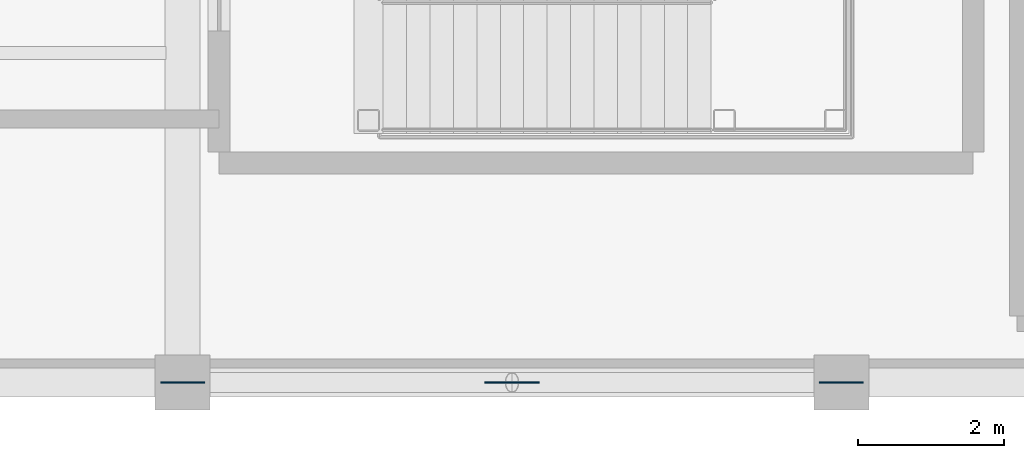
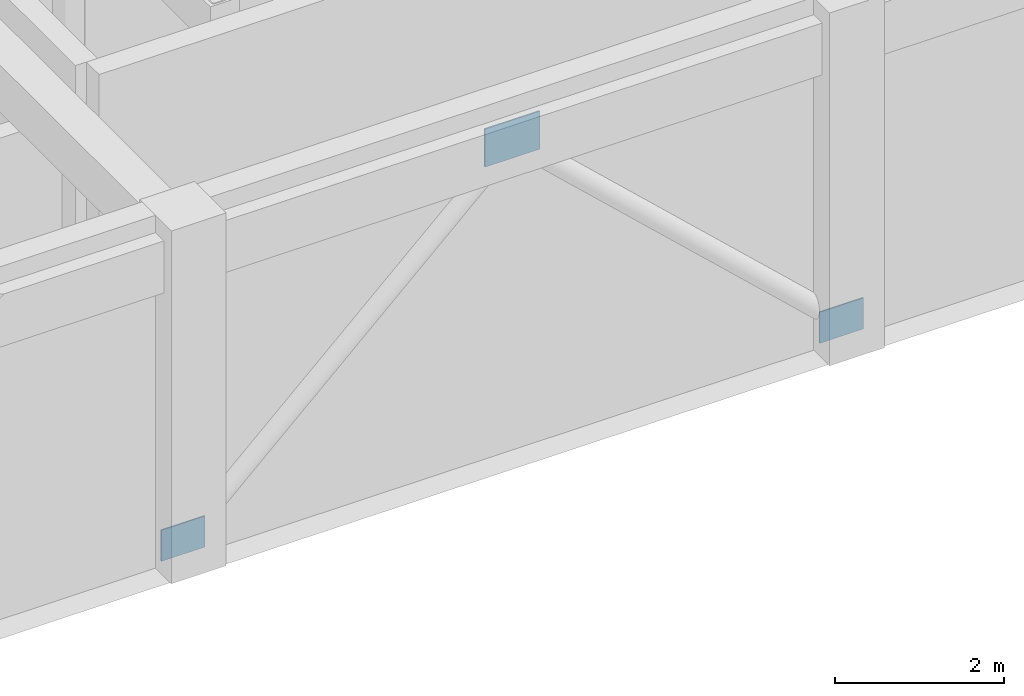
# One storey, part 94 of 128: 3 plates.
"""IFC4 building model written with IfcOpenShell, lengths in metres."""

import ifcopenshell
import ifcopenshell.guid

model = None  # the IFC model being written
_history = None  # IfcOwnerHistory: only IFC2X3 demands one
_inside = {}  # id of a spatial element -> (the spatial element, [elements in it])
_under = {}  # id of a project, library or spatial element -> (it, [spatial elements below it])
_declared = {}  # id of a project -> (the project, [libraries it declares])
_typed = {}  # id of a type object -> (the type object, [elements of that type])
_made_of = {}  # id of a material, layer set ... -> (it, [elements and type objects made of it])


def new_model(schema):
    """Start an empty IFC model of exactly this schema.

    Asked for "IFC4X3", IfcOpenShell would pick the latest addendum, in which some entities
    have other attributes; the version numbers below select the first issue.
    IFC2X3 requires an IfcOwnerHistory on every rooted entity: one is made here for all.
    """
    global model, _history
    if schema == "IFC4X3":
        model = ifcopenshell.file(schema_version=(4, 3, 0, 0))
    else:
        model = ifcopenshell.file(schema=schema)
    _inside.clear()
    _under.clear()
    _declared.clear()
    _typed.clear()
    _made_of.clear()
    _history = None
    if model.schema == "IFC2X3":
        org = make("IfcOrganization", Name="unknown")
        user = make(
            "IfcPersonAndOrganization",
            ThePerson=make("IfcPerson", FamilyName="unknown"),
            TheOrganization=org,
        )
        app = make(
            "IfcApplication",
            ApplicationDeveloper=org,
            Version="unknown",
            ApplicationFullName="unknown",
            ApplicationIdentifier="unknown",
        )
        _history = make(
            "IfcOwnerHistory",
            OwningUser=user,
            OwningApplication=app,
            ChangeAction="ADDED",
            CreationDate=0,
        )
    return model


def make(cls, **values):
    """One entity of the class cls with the attributes given. An attribute that is None is left unset."""
    return model.create_entity(
        cls, **{name: value for name, value in values.items() if value is not None}
    )


def rooted(cls, **values):
    """An entity with a GlobalId (a new one), such as an element, a storey or a relation."""
    return make(cls, GlobalId=ifcopenshell.guid.new(), OwnerHistory=_history, **values)


def si_unit(unit_type, name, prefix=None):
    """IfcSIUnit, for example si_unit("LENGTHUNIT", "METRE", prefix="MILLI")."""
    return make("IfcSIUnit", UnitType=unit_type, Prefix=prefix, Name=name)


def assignment(units):
    """IfcUnitAssignment: the units of a project."""
    return None if units is None else make("IfcUnitAssignment", Units=units)


def point(xyz):
    """IfcCartesianPoint."""
    return None if xyz is None else make("IfcCartesianPoint", Coordinates=xyz)


def direction(xyz):
    """IfcDirection."""
    return None if xyz is None else make("IfcDirection", DirectionRatios=xyz)


def frame(location, z_axis=None, x_axis=None):
    """IfcAxis2Placement3D, a coordinate frame: its origin and axes. An axis left out is left unset."""
    return make(
        "IfcAxis2Placement3D",
        Location=point(location),
        Axis=direction(z_axis),
        RefDirection=direction(x_axis),
    )


def frame_2d(location, x_axis=None):
    """IfcAxis2Placement2D, a coordinate frame in the plane: its origin and x axis."""
    return make(
        "IfcAxis2Placement2D", Location=point(location), RefDirection=direction(x_axis)
    )


def origin():
    """The frame at (0, 0, 0) with its axes left unset."""
    return frame((0.0, 0.0, 0.0))


def origin_2d():
    """The frame at (0, 0) in the plane with its x axis left unset."""
    return frame_2d((0.0, 0.0))


def place(relative_to, where):
    """IfcLocalPlacement: puts the frame where relative to a parent placement (None: the world)."""
    return make(
        "IfcLocalPlacement", PlacementRelTo=relative_to, RelativePlacement=where
    )


def context(
    kind, dimensions, precision=None, world=None, true_north=None, identifier=None
):
    """IfcGeometricRepresentationContext, for example the 3D "Model" context."""
    return make(
        "IfcGeometricRepresentationContext",
        ContextIdentifier=identifier,
        ContextType=kind,
        CoordinateSpaceDimension=dimensions,
        Precision=precision,
        WorldCoordinateSystem=world,
        TrueNorth=true_north,
    )


def subcontext(parent, identifier, kind, view, scale=None):
    """IfcGeometricRepresentationSubContext, for example "Body" below "Model"."""
    return make(
        "IfcGeometricRepresentationSubContext",
        ContextIdentifier=identifier,
        ContextType=kind,
        ParentContext=parent,
        TargetScale=scale,
        TargetView=view,
    )


def project(units=None, contexts=None):
    """IfcProject with its units and contexts."""
    return rooted(
        "IfcProject",
        Name="project",
        RepresentationContexts=contexts,
        UnitsInContext=assignment(units),
    )


def spatial(cls, under=None, at=None, **own):
    """A site, building, storey or space (cls), placed at a placement, below another one or the project."""
    s = rooted(cls, ObjectPlacement=at, **own)
    if under is not None:
        _under.setdefault(under.id(), (under, []))[1].append(s)
    return s


def profile(cls, at=None, kind="AREA", **sizes):
    """A parametric profile (cls). Its sizes go by their IFC names, for example OverallWidth=200.0."""
    return make(cls, ProfileType=kind, Position=at, **sizes)


def rectangle(**sizes):
    """IfcRectangleProfileDef."""
    return profile("IfcRectangleProfileDef", **sizes)


def extrude(swept, where, along, depth):
    """IfcExtrudedAreaSolid: the profile swept, set in the frame where, extruded along a direction by depth."""
    return make(
        "IfcExtrudedAreaSolid",
        SweptArea=swept,
        Position=where,
        ExtrudedDirection=direction(along),
        Depth=depth,
    )


def shape(context_of_items, identifier, shape_type, items):
    """IfcShapeRepresentation: the items that make up one representation, for example the "Body"."""
    return make(
        "IfcShapeRepresentation",
        ContextOfItems=context_of_items,
        RepresentationIdentifier=identifier,
        RepresentationType=shape_type,
        Items=items,
    )


def material(Name=None, Category=None):
    """IfcMaterial."""
    return make("IfcMaterial", Name=Name, Category=Category)


def layer(
    of_material, thickness, ventilated=None, Name=None, Category=None, Priority=None
):
    """IfcMaterialLayer: one layer of a wall or slab, of a material (None: an air gap)."""
    return make(
        "IfcMaterialLayer",
        Material=of_material,
        LayerThickness=thickness,
        IsVentilated=ventilated,
        Name=Name,
        Category=Category,
        Priority=Priority,
    )


def layer_set(layers, Name=None):
    """IfcMaterialLayerSet."""
    return make("IfcMaterialLayerSet", MaterialLayers=layers, LayerSetName=Name)


def made_of(thing, what):
    """Note that an element or type object is made of a material, layer set ...; save() writes the relation."""
    if what is not None:
        _made_of.setdefault(what.id(), (what, []))[1].append(thing)
    return thing


def type_object(cls, material=None, **own):
    """A type object (cls), such as IfcWallType, which elements share."""
    return made_of(rooted(cls, **own), material)


def element(
    cls,
    number,
    at=None,
    inside=None,
    cuts=None,
    type_object=None,
    material=None,
    context=None,
    identifier="Body",
    shape_type=None,
    held_by="IfcProductDefinitionShape",
    body=None,
    shapes=None,
    **own,
):
    """One element of the class cls, such as IfcWall. Its Tag is "e" and its number.

    at: its placement. inside: the storey or other place that contains it. cuts: it is an
    opening in that element (IfcRelVoidsElement). A single representation is given by context,
    identifier, shape_type and body (its items); several are given by shapes. held_by: the class
    of the entity that holds the representations. save() writes the other relations.
    """
    e = rooted(cls, Tag="e%d" % number, ObjectPlacement=at, **own)
    if body is not None:
        shapes = [shape(context, identifier, shape_type, body)]
    if shapes is not None:
        e.Representation = make(held_by, Representations=shapes)
    if inside is not None:
        _inside.setdefault(inside.id(), (inside, []))[1].append(e)
    if cuts is not None:
        rooted(
            "IfcRelVoidsElement", RelatingBuildingElement=cuts, RelatedOpeningElement=e
        )
    if type_object is not None:
        _typed.setdefault(type_object.id(), (type_object, []))[1].append(e)
    return made_of(e, material)


def aggregate(whole, parts):
    """IfcRelAggregates: a whole, such as a stair, and the parts it consists of."""
    return rooted("IfcRelAggregates", RelatingObject=whole, RelatedObjects=parts)


def save(model, path):
    """Write the relations noted so far, then the file.

    IfcRelAggregates (storeys below a building ...), IfcRelContainedInSpatialStructure (elements
    in a storey), IfcRelDefinesByType, IfcRelAssociatesMaterial and IfcRelDeclares: one each for
    every whole, place, type object, material and project.
    """
    for whole, parts in _under.values():
        aggregate(whole, parts)
    for where, things in _inside.values():
        rooted(
            "IfcRelContainedInSpatialStructure",
            RelatedElements=things,
            RelatingStructure=where,
        )
    for kind, things in _typed.values():
        rooted("IfcRelDefinesByType", RelatedObjects=things, RelatingType=kind)
    for what, things in _made_of.values():
        rooted("IfcRelAssociatesMaterial", RelatedObjects=things, RelatingMaterial=what)
    for by, libraries in _declared.values():
        rooted("IfcRelDeclares", RelatingContext=by, RelatedDefinitions=libraries)
    model.write(path)


model = new_model("IFC4")

# Units and contexts
model_context = context("Model", 3, precision=1e-05, world=origin(), true_north=direction((0.0, 1.0)))
body_context = subcontext(model_context, "Body", "Model", "MODEL_VIEW")
ifc_project = project(units=[si_unit("LENGTHUNIT", "METRE"), si_unit("AREAUNIT", "SQUARE_METRE"), si_unit("VOLUMEUNIT", "CUBIC_METRE"), si_unit("PLANEANGLEUNIT", "RADIAN"), si_unit("MASSUNIT", "GRAM", prefix="KILO")], contexts=[model_context])

# Site, building, storey
site_placement = place(None, origin())
site = spatial("IfcSite", under=ifc_project, at=site_placement, CompositionType="ELEMENT")
building_placement = place(site_placement, origin())
building = spatial("IfcBuilding", under=site, at=building_placement, Name="Miravela Opera House", CompositionType="ELEMENT")
storey_placement = place(building_placement, origin())
storey = spatial("IfcBuildingStorey", under=building, at=storey_placement, Name="L00", CompositionType="ELEMENT", Elevation=0.0)

# Plates
ifc_material = material(Name="Structural steel ASTM A572 Gr. 50", Category="steel")
ifc_layer_1 = layer(ifc_material, 0.01806640625)
ifc_layer_set_1 = layer_set([ifc_layer_1])
plate_type_1 = type_object("IfcPlateType", Name="STR-PL-GUS-600X450X18", PredefinedType="USERDEFINED", material=ifc_layer_set_1)
for number, where, z_axis, x_axis, name in (
    (1, (27.0, 0.0, 0.0751953125), (0.0, 0.0, 1.0), (1.0, 0.0, 0.0), "Brace Wall Cast-In Embed Plate 286"),
    (2, (36.0, 0.0, 0.0751953125), (0.0, 0.0, 1.0), (1.0, 0.0, 0.0), "Brace Wall Cast-In Embed Plate 287"),
):
    element("IfcPlate", number, at=place(storey_placement, frame(where, z_axis=z_axis, x_axis=x_axis)), inside=storey, type_object=plate_type_1, Name=name, ObjectType="GUSSET PLATE", PredefinedType="USERDEFINED", context=body_context, shape_type="SweptSolid", body=[
        extrude(rectangle(XDim=0.60009765625, YDim=0.01806640625, at=origin_2d()), origin(), (0.0, 0.0, 1.0), 0.449951171875),
    ])
ifc_layer_2 = layer(ifc_material, 0.02001953125)
ifc_layer_set_2 = layer_set([ifc_layer_2])
plate_type_2 = type_object("IfcPlateType", Name="STR-PL-GUS-750X550X20", PredefinedType="USERDEFINED", material=ifc_layer_set_2)
plate_placement = place(storey_placement, frame((31.5, 0.0, 4.22509765625), z_axis=(0.0, 0.0, 1.0), x_axis=(1.0, 0.0, 0.0)))
element("IfcPlate", 3, at=plate_placement, inside=storey, type_object=plate_type_2, Name="Chevron Brace Apex Gusset Plate 285", ObjectType="GUSSET PLATE", PredefinedType="USERDEFINED", context=body_context, shape_type="SweptSolid", body=[
    extrude(rectangle(XDim=0.75, YDim=0.02001953125, at=origin_2d()), origin(), (0.0, 0.0, 1.0), 0.550048828125),
])

save(model, "model.ifc")
